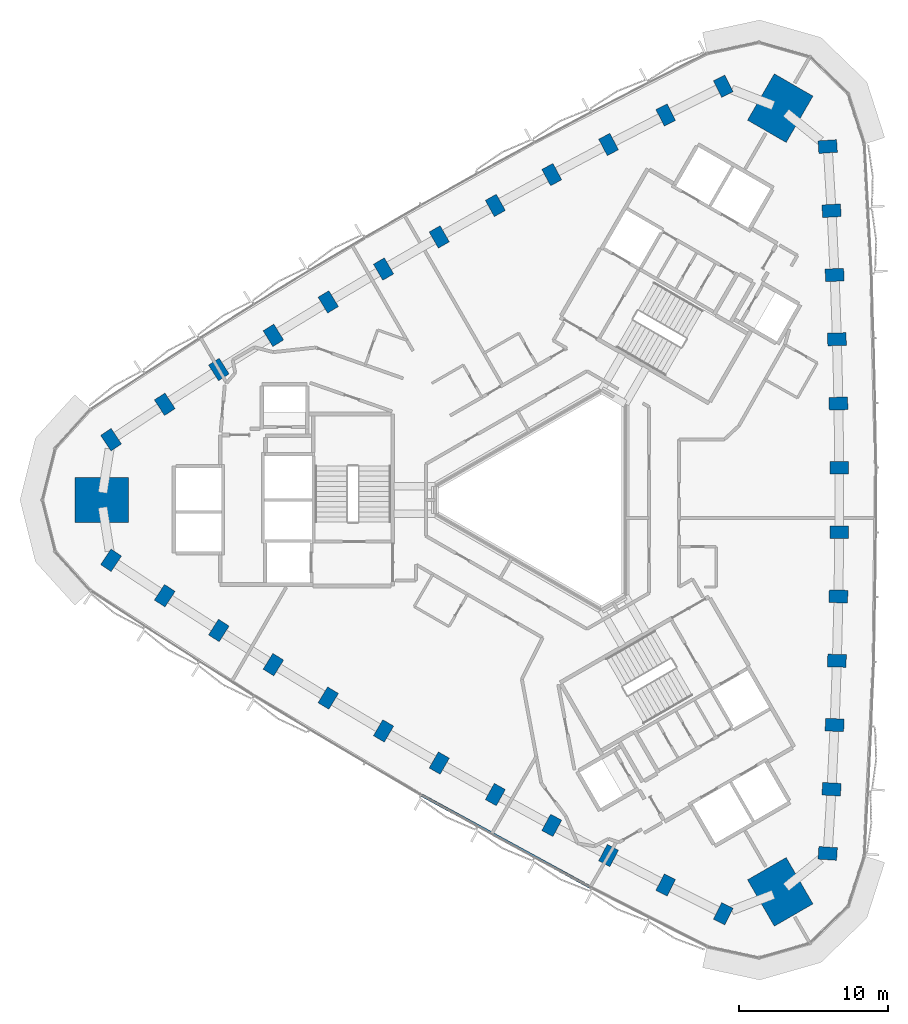
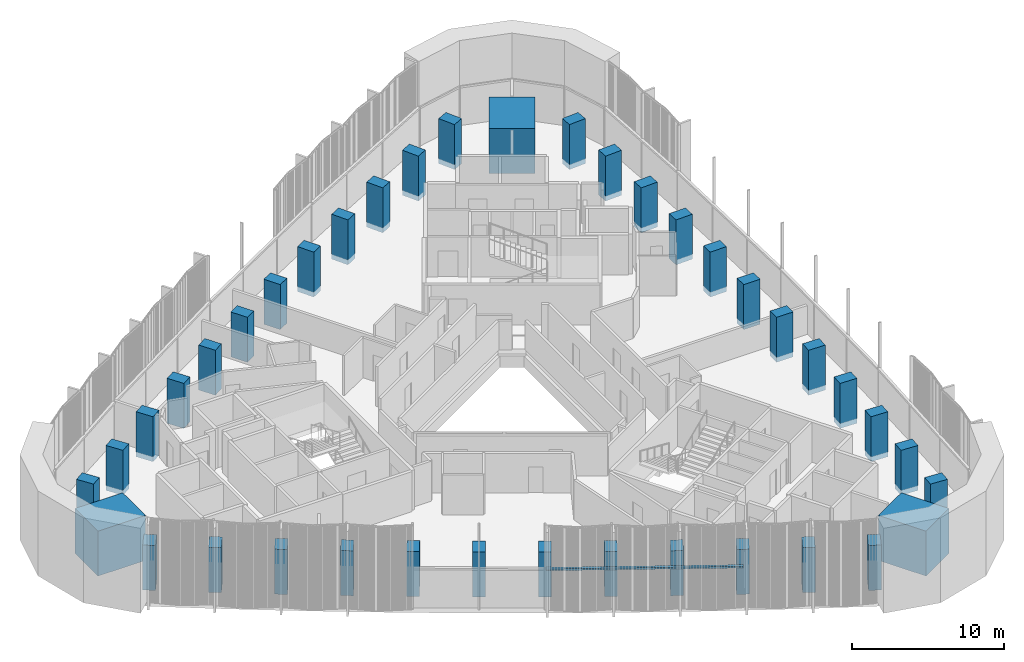
# One storey, part 1 of 14: 39 columns, 1 member, 1 element without a shape of its own.
"""IFC4 building model written with IfcOpenShell, lengths in metres."""

from ifc_helpers import new_model, si_unit, direction, frame, origin, origin_2d, place, context, subcontext, project, spatial, rectangle, extrude, material, material_profile, profile_set, type_object, element, aggregate, save


model = new_model("IFC4")

# Units and contexts
model_context = context("Model", 3, precision=1e-05, world=origin(), true_north=direction((0.0, 1.0)))
body_context = subcontext(model_context, "Body", "Model", "MODEL_VIEW")
ifc_project = project(units=[si_unit("LENGTHUNIT", "METRE"), si_unit("AREAUNIT", "SQUARE_METRE"), si_unit("VOLUMEUNIT", "CUBIC_METRE"), si_unit("PLANEANGLEUNIT", "RADIAN"), si_unit("MASSUNIT", "GRAM", prefix="KILO")], contexts=[model_context])

# Site, building, storey
site_placement = place(None, origin())
site = spatial("IfcSite", under=ifc_project, at=site_placement, CompositionType="ELEMENT")
building_placement = place(site_placement, origin())
building = spatial("IfcBuilding", under=site, at=building_placement, Name="Tamra Quay Hotel Tower", CompositionType="ELEMENT")
storey_placement = place(building_placement, frame((0.0, 0.0, 150.39990234375)))
storey = spatial("IfcBuildingStorey", under=building, at=storey_placement, Name="L37", CompositionType="ELEMENT", Elevation=150.39990234375)

# Columns
ifc_material_1 = material(Name="Concrete M70", Category="concrete")
ifc_material_profile_1 = material_profile(ifc_material_1, rectangle(XDim=1.25, YDim=0.85009765625, at=origin_2d()), Name="COLUMN RC 850x1250 Z3")
ifc_profile_set_1 = profile_set([ifc_material_profile_1], Name="Concrete M70")
column_type_1 = type_object("IfcColumnType", Name="COLUMN RC 850x1250 Z3", PredefinedType="COLUMN", material=ifc_profile_set_1)
for number, where, z_axis, x_axis, name in (
    (1, (18.396728515625, -23.757080078125, -0.39990234375), (0.0, 0.0, 1.0), (-0.997857895766, 0.065418803553, 0.0), "COL-C3E01-L37"),
    (2, (18.654541015625, -19.4423828125, -0.39990234375), (0.0, 0.0, 1.0), (-0.998562324173, 0.053603029218, 0.0), "COL-C3E02-L37"),
    (3, (18.86083984375, -15.124267578125, -0.39990234375), (0.0, 0.0, 1.0), (-0.999109109653, 0.042201741775, 0.0), "COL-C3E03-L37"),
    (4, (19.015869140625, -10.8046875, -0.39990234375), (0.0, 0.0, 1.0), (-0.99955268585, 0.029906992649, 0.0), "COL-C3E04-L37"),
    (5, (19.119140625, -6.483642578125, -0.39990234375), (0.0, 0.0, 1.0), (-0.999845156469, 0.017597246518, 0.0), "COL-C3E05-L37"),
    (6, (19.1708984375, -2.1611328125, -0.39990234375), (0.0, 0.0, 1.0), (-0.999981031775, 0.006159227987, 0.0), "COL-C3E06-L37"),
    (7, (19.1708984375, 2.1611328125, -0.39990234375), (0.0, 0.0, 1.0), (0.999981031775, 0.006159227987, 0.0), "COL-C3E07-L37"),
    (8, (19.119140625, 6.483642578125, -0.39990234375), (0.0, 0.0, 1.0), (0.999845156469, 0.017597246518, 0.0), "COL-C3E08-L37"),
    (9, (19.015869140625, 10.8046875, -0.39990234375), (0.0, 0.0, 1.0), (0.99955268585, 0.029906992649, 0.0), "COL-C3E09-L37"),
    (10, (18.86083984375, 15.124267578125, -0.39990234375), (0.0, 0.0, 1.0), (0.999109109653, 0.042201741775, 0.0), "COL-C3E10-L37"),
    (11, (18.654541015625, 19.4423828125, -0.39990234375), (0.0, 0.0, 1.0), (0.998562324173, 0.053603029218, 0.0), "COL-C3E11-L37"),
    (12, (18.396728515625, 23.757080078125, -0.39990234375), (0.0, 0.0, 1.0), (0.997857895766, 0.065418803553, 0.0), "COL-C3E12-L37"),
    (13, (11.3759765625, 27.810546875, -0.39990234375), (0.0, 0.0, 1.0), (-0.44227460212, 0.896879688877, 0.0), "COL-C3NW01-L37"),
    (14, (7.51025390625, 25.87646484375, -0.39990234375), (0.0, 0.0, 1.0), (-0.452859577064, 0.891581854605, 0.0), "COL-C3NW02-L37"),
    (15, (3.66748046875, 23.896240234375, -0.39990234375), (0.0, 0.0, 1.0), (-0.463006774365, 0.886354740999, 0.0), "COL-C3NW03-L37"),
    (16, (-0.150634765625, 21.87060546875, -0.39990234375), (0.0, 0.0, 1.0), (-0.47387612754, 0.880591514692, 0.0), "COL-C3NW04-L37"),
    (17, (-3.944580078125, 19.799560546875, -0.39990234375), (0.0, 0.0, 1.0), (-0.484682915713, 0.874689928612, 0.0), "COL-C3NW05-L37"),
    (18, (-7.7138671875, 17.68310546875, -0.39990234375), (0.0, 0.0, 1.0), (-0.494656467983, 0.869088590813, 0.0), "COL-C3NW06-L37"),
    (19, (-11.45703125, 15.521728515625, -0.39990234375), (0.0, 0.0, 1.0), (-0.505324563792, 0.862929362827, 0.0), "COL-C3NW07-L37"),
    (20, (-15.174560546875, 13.31591796875, -0.39990234375), (0.0, 0.0, 1.0), (-0.515162240756, 0.857092682094, 0.0), "COL-C3NW08-L37"),
    (21, (-18.864990234375, 11.06591796875, -0.39990234375), (0.0, 0.0, 1.0), (-0.52567655831, 0.850684522043, 0.0), "COL-C3NW09-L37"),
    (22, (-22.528564453125, 8.771728515625, -0.39990234375), (0.0, 0.0, 1.0), (-0.536102335288, 0.844152999224, 0.0), "COL-C3NW10-L37"),
    (23, (-26.164794921875, 6.43408203125, -0.39990234375), (0.0, 0.0, 1.0), (-0.545702747109, 0.837978825387, 0.0), "COL-C3NW11-L37"),
    (24, (-29.772705078125, 4.053466796875, -0.39990234375), (0.0, 0.0, 1.0), (-0.555583293645, 0.831460885323, 0.0), "COL-C3NW12-L37"),
    (25, (-29.772705078125, -4.053466796875, -0.39990234375), (0.0, 0.0, 1.0), (0.555583293645, 0.831460885323, 0.0), "COL-C3SW01-L37"),
    (26, (-26.164794921875, -6.43408203125, -0.39990234375), (0.0, 0.0, 1.0), (0.545702747109, 0.837978825387, 0.0), "COL-C3SW02-L37"),
    (27, (-22.528564453125, -8.771728515625, -0.39990234375), (0.0, 0.0, 1.0), (0.536102335288, 0.844152999224, 0.0), "COL-C3SW03-L37"),
    (28, (-18.864990234375, -11.06591796875, -0.39990234375), (0.0, 0.0, 1.0), (0.52567655831, 0.850684522043, 0.0), "COL-C3SW04-L37"),
    (29, (-15.174560546875, -13.31591796875, -0.39990234375), (0.0, 0.0, 1.0), (0.515162240756, 0.857092682094, 0.0), "COL-C3SW05-L37"),
    (30, (-11.45703125, -15.521728515625, -0.39990234375), (0.0, 0.0, 1.0), (0.505324563792, 0.862929362827, 0.0), "COL-C3SW06-L37"),
    (31, (-7.7138671875, -17.68310546875, -0.39990234375), (0.0, 0.0, 1.0), (0.494656467983, 0.869088590813, 0.0), "COL-C3SW07-L37"),
    (32, (-3.944580078125, -19.799560546875, -0.39990234375), (0.0, 0.0, 1.0), (0.484682915713, 0.874689928612, 0.0), "COL-C3SW08-L37"),
    (33, (-0.150634765625, -21.87060546875, -0.39990234375), (0.0, 0.0, 1.0), (0.47387612754, 0.880591514692, 0.0), "COL-C3SW09-L37"),
    (34, (3.66748046875, -23.896240234375, -0.39990234375), (0.0, 0.0, 1.0), (0.463006774365, 0.886354740999, 0.0), "COL-C3SW10-L37"),
    (35, (7.51025390625, -25.87646484375, -0.39990234375), (0.0, 0.0, 1.0), (0.452859577064, 0.891581854605, 0.0), "COL-C3SW11-L37"),
    (36, (11.3759765625, -27.810546875, -0.39990234375), (0.0, 0.0, 1.0), (0.44227460212, 0.896879688877, 0.0), "COL-C3SW12-L37"),
):
    element("IfcColumn", number, at=place(storey_placement, frame(where, z_axis=z_axis, x_axis=x_axis)), inside=storey, type_object=column_type_1, Name=name, PredefinedType="COLUMN", context=body_context, shape_type="SweptSolid", body=[
        extrude(rectangle(XDim=1.25, YDim=0.85009765625, at=origin_2d()), origin(), (0.0, 0.0, 1.0), 3.60009765625),
    ])
ifc_material_profile_2 = material_profile(ifc_material_1, rectangle(XDim=3.60009765625, YDim=3.0, at=origin_2d()), Name="MEGA COLUMN RC 3000x3600 Z3")
ifc_profile_set_2 = profile_set([ifc_material_profile_2], Name="Concrete M70")
column_type_2 = type_object("IfcColumnType", Name="MEGA COLUMN RC 3000x3600 Z3", PredefinedType="COLUMN", material=ifc_profile_set_2)
for number, where, z_axis, x_axis, name in (
    (37, (15.20703125, 26.339599609375, -0.39990234375), (0.0, 0.0, 1.0), (0.5, 0.866025403784, 0.0), "COL-M3NE-L37"),
    (38, (-30.414306640625, 0.0, -0.39990234375), (0.0, 0.0, 1.0), (1.0, 0.0, 0.0), "COL-M3W-L37"),
    (39, (15.20703125, -26.339599609375, -0.39990234375), (0.0, 0.0, 1.0), (-0.5, 0.866025403784, 0.0), "COL-M3SE-L37"),
):
    element("IfcColumn", number, at=place(storey_placement, frame(where, z_axis=z_axis, x_axis=x_axis)), inside=storey, type_object=column_type_2, Name=name, PredefinedType="COLUMN", context=body_context, shape_type="SweptSolid", body=[
        extrude(rectangle(XDim=3.60009765625, YDim=3.0, at=origin_2d()), origin(), (0.0, 0.0, 1.0), 3.60009765625),
    ])

# Curtain wall, member
ifc_material_2 = material(Name="Aluminium 6063 anodised dark grey", Category="aluminium")
curtain_wall_type = type_object("IfcCurtainWallType", Name="CW3 CURTAIN WALL", PredefinedType="NOTDEFINED", material=ifc_material_2)
curtain_wall_placement = place(storey_placement, origin())
curtain_wall = element("IfcCurtainWall", 40, at=curtain_wall_placement, inside=storey, type_object=curtain_wall_type, Name="CW3 south-west face L37", PredefinedType="NOTDEFINED")
ifc_material_profile_3 = material_profile(ifc_material_2, rectangle(XDim=0.199951171875, YDim=0.139892578125, at=origin_2d()), Name="TRANSOM 200X140")
ifc_profile_set_3 = profile_set([ifc_material_profile_3], Name="Aluminium 6063 anodised dark grey")
member_type = type_object("IfcMemberType", Name="TRANSOM CW3 Z3", PredefinedType="USERDEFINED", material=ifc_profile_set_3)
member_placement = place(storey_placement, frame((-8.887451171875, -19.84619140625, 3.130126953125), z_axis=(0.877730603068, -0.479154451548, 0.0), x_axis=(0.479154451548, 0.877730603068, 0.0)))
member = element("IfcMember", 41, at=member_placement, type_object=member_type, Name="CW3 transom L37.SW.7", ObjectType="TRANSOM", PredefinedType="USERDEFINED", context=body_context, shape_type="SweptSolid", body=[
    extrude(rectangle(XDim=0.199951171875, YDim=0.139892578125, at=origin_2d()), origin(), (0.0, 0.0, 1.0), 12.95556640625),
])
aggregate(curtain_wall, [member])

save(model, "model.ifc")
